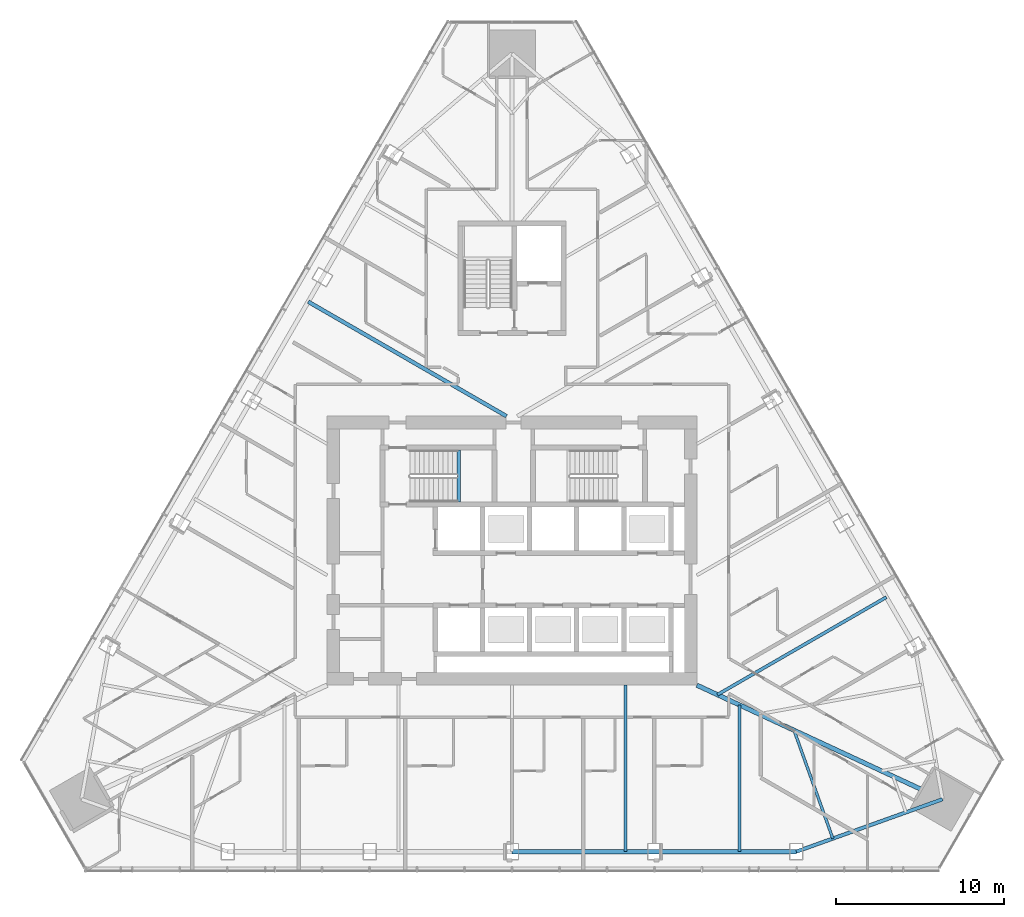
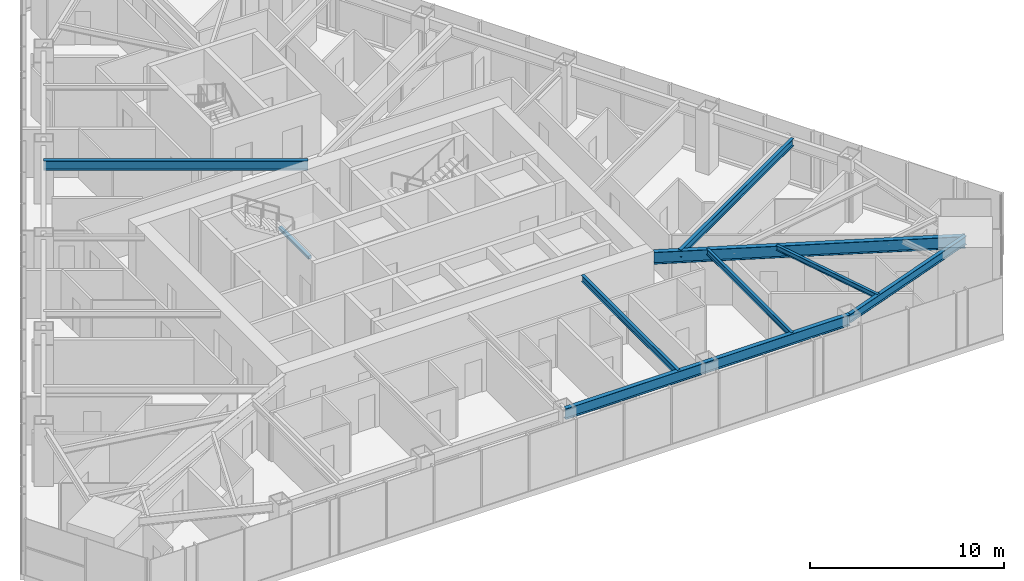
# One storey, part 6 of 20: 9 beams.
"""IFC4 building model written with IfcOpenShell, lengths in metres."""

from ifc_helpers import new_model, si_unit, direction, frame, origin, origin_2d, place, context, subcontext, project, spatial, rectangle, i_section, extrude, material, material_profile, profile_set, type_object, element, save


model = new_model("IFC4")

# Units and contexts
model_context = context("Model", 3, precision=1e-05, world=origin(), true_north=direction((0.0, 1.0)))
body_context = subcontext(model_context, "Body", "Model", "MODEL_VIEW")
ifc_project = project(units=[si_unit("LENGTHUNIT", "METRE"), si_unit("AREAUNIT", "SQUARE_METRE"), si_unit("VOLUMEUNIT", "CUBIC_METRE"), si_unit("PLANEANGLEUNIT", "RADIAN"), si_unit("MASSUNIT", "GRAM", prefix="KILO")], contexts=[model_context])

# Site, building, storey
site_placement = place(None, origin())
site = spatial("IfcSite", under=ifc_project, at=site_placement, CompositionType="ELEMENT")
building_placement = place(site_placement, origin())
building = spatial("IfcBuilding", under=site, at=building_placement, Name="Firuza Gate Tower and Library", CompositionType="ELEMENT")
storey_placement = place(building_placement, frame((0.0, 0.0, 214.300048828125)))
storey = spatial("IfcBuildingStorey", under=building, at=storey_placement, Name="L50", CompositionType="ELEMENT", Elevation=214.300048828125)

# Beams
ifc_material_1 = material(Name="Concrete C35/45", Category="concrete")
ifc_material_profile_1 = material_profile(ifc_material_1, rectangle(XDim=0.199951171875, YDim=0.199951171875, at=origin_2d()))
ifc_profile_set_1 = profile_set([ifc_material_profile_1], Name="Concrete C35/45")
beam_type_1 = type_object("IfcBeamType", Name="Stair landing bearer 200x200", PredefinedType="BEAM", material=ifc_profile_set_1)
beam_1_placement = place(storey_placement, frame((71.840087890625, 77.89990234375, 1.64990234375), z_axis=(0.0, 1.0, 0.0), x_axis=(-1.0, 0.0, 0.0)))
element("IfcBeam", 1, at=beam_1_placement, inside=storey, type_object=beam_type_1, Name="Landing bearer L50 stair 1", PredefinedType="BEAM", context=body_context, shape_type="SweptSolid", body=[
    extrude(rectangle(XDim=0.199951171875, YDim=0.199951171875, at=origin_2d()), origin(), (0.0, 0.0, 1.0), 3.080078125),
])
ifc_material_2 = material(Name="Steel S355", Category="steel")
ifc_material_profile_2 = material_profile(ifc_material_2, i_section(OverallWidth=0.1650390625, OverallDepth=0.31005859375, WebThickness=0.005859375, FlangeThickness=0.009765625, at=origin_2d()))
ifc_profile_set_2 = profile_set([ifc_material_profile_2], Name="Steel S355")
beam_type_2 = type_object("IfcBeamType", Name="W310x39 Floor beam", PredefinedType="JOIST", material=ifc_profile_set_2)
beam_2_placement = place(storey_placement, frame((94.08544921875, 57.876953125, 3.544921875), z_axis=(-0.337452942664, 0.941342398645, 0.0), x_axis=(-0.941342398645, -0.337452942664, 0.0)))
element("IfcBeam", 2, at=beam_2_placement, inside=storey, type_object=beam_type_2, Name="Floor beam L50 s30", PredefinedType="JOIST", context=body_context, shape_type="SweptSolid", body=[
    extrude(i_section(OverallWidth=0.1650390625, OverallDepth=0.31005859375, WebThickness=0.005859375, FlangeThickness=0.009765625, at=origin_2d()), origin(), (0.0, 0.0, 1.0), 6.84130859375),
])
ifc_material_3 = material(Name="Steel S355", Category="steel")
ifc_material_profile_3 = material_profile(ifc_material_3, i_section(OverallWidth=0.1708984375, OverallDepth=0.35498046875, WebThickness=0.007080078125, FlangeThickness=0.01171875, at=origin_2d()))
ifc_profile_set_3 = profile_set([ifc_material_profile_3], Name="Steel S355")
beam_type_3 = type_object("IfcBeamType", Name="W360x51 Floor beam", PredefinedType="JOIST", material=ifc_profile_set_3)
beam_3_placement = place(storey_placement, frame((88.529052734375, 57.097412109375, 3.5224609375), z_axis=(0.0, 1.0, 0.0), x_axis=(-1.0, 0.0, 0.0)))
element("IfcBeam", 3, at=beam_3_placement, inside=storey, type_object=beam_type_3, Name="Floor beam L50 s24", PredefinedType="JOIST", context=body_context, shape_type="SweptSolid", body=[
    extrude(i_section(OverallWidth=0.1708984375, OverallDepth=0.35498046875, WebThickness=0.007080078125, FlangeThickness=0.01171875, at=origin_2d()), origin(), (0.0, 0.0, 1.0), 8.72802734375),
])
ifc_material_4 = material(Name="Steel S355", Category="steel")
ifc_material_profile_4 = material_profile(ifc_material_4, i_section(OverallWidth=0.177978515625, OverallDepth=0.406982421875, WebThickness=0.0078125, FlangeThickness=0.0126953125, at=origin_2d()))
ifc_profile_set_4 = profile_set([ifc_material_profile_4], Name="Steel S355")
beam_type_4 = type_object("IfcBeamType", Name="W410x60 Floor beam", PredefinedType="JOIST", material=ifc_profile_set_4)
beam_4_placement = place(storey_placement, frame((81.7646484375, 57.097412109375, 3.496337890625), z_axis=(0.0, 1.0, 0.0), x_axis=(-1.0, 0.0, 0.0)))
element("IfcBeam", 4, at=beam_4_placement, inside=storey, type_object=beam_type_4, Name="Floor beam L50 s23", PredefinedType="JOIST", context=body_context, shape_type="SweptSolid", body=[
    extrude(i_section(OverallWidth=0.177978515625, OverallDepth=0.406982421875, WebThickness=0.0078125, FlangeThickness=0.0126953125, at=origin_2d()), origin(), (0.0, 0.0, 1.0), 9.902587890625),
])
ifc_material_5 = material(Name="Steel S355", Category="steel")
ifc_material_profile_5 = material_profile(ifc_material_5, i_section(OverallWidth=0.18994140625, OverallDepth=0.45703125, WebThickness=0.009033203125, FlangeThickness=0.014404296875, at=origin_2d()))
ifc_profile_set_5 = profile_set([ifc_material_profile_5], Name="Steel S355")
beam_type_5 = type_object("IfcBeamType", Name="W460x74 Floor beam", PredefinedType="JOIST", material=ifc_profile_set_5)
beam_5_placement = place(storey_placement, frame((97.2685546875, 72.23486328125, 3.471435546875), z_axis=(-0.866021598738, -0.500006590476, 0.0), x_axis=(0.500006590476, -0.866021598738, 0.0)))
element("IfcBeam", 5, at=beam_5_placement, inside=storey, type_object=beam_type_5, Name="Floor beam L50 s50", PredefinedType="JOIST", context=body_context, shape_type="SweptSolid", body=[
    extrude(i_section(OverallWidth=0.18994140625, OverallDepth=0.45703125, WebThickness=0.009033203125, FlangeThickness=0.014404296875, at=origin_2d()), origin(), (0.0, 0.0, 1.0), 11.602783203125),
])
ifc_material_6 = material(Name="Steel S355", Category="steel")
ifc_material_profile_6 = material_profile(ifc_material_6, i_section(OverallWidth=0.212890625, OverallDepth=0.5390625, WebThickness=0.01171875, FlangeThickness=0.018798828125, at=origin_2d()))
ifc_profile_set_6 = profile_set([ifc_material_profile_6], Name="Steel S355")
beam_type_6 = type_object("IfcBeamType", Name="W530x109 Edge beam", PredefinedType="SPANDREL", material=ifc_profile_set_6)
beam_6_placement = place(storey_placement, frame((91.911376953125, 57.097412109375, 3.430419921875), z_axis=(0.941340671255, 0.337457761269, 0.0), x_axis=(-0.337457761269, 0.941340671255, 0.0)))
element("IfcBeam", 6, at=beam_6_placement, inside=storey, type_object=beam_type_6, Name="Edge beam L50 e30", PredefinedType="SPANDREL", context=body_context, shape_type="SweptSolid", body=[
    extrude(i_section(OverallWidth=0.212890625, OverallDepth=0.5390625, WebThickness=0.01171875, FlangeThickness=0.018798828125, at=origin_2d()), origin(), (0.0, 0.0, 1.0), 9.23876953125),
])
ifc_material_7 = material(Name="Steel S355", Category="steel")
ifc_material_profile_7 = material_profile(ifc_material_7, i_section(OverallWidth=0.22802734375, OverallDepth=0.60302734375, WebThickness=0.010498046875, FlangeThickness=0.014892578125, at=origin_2d()))
ifc_profile_set_7 = profile_set([ifc_material_profile_7], Name="Steel S355")
beam_type_7 = type_object("IfcBeamType", Name="W610x101 Floor beam", PredefinedType="JOIST", material=ifc_profile_set_7)
beam_7_placement = place(storey_placement, frame((62.878173828125, 89.8095703125, 3.3984375), z_axis=(0.866023785365, -0.500002803175, 0.0), x_axis=(0.500002803175, 0.866023785365, 0.0)))
element("IfcBeam", 7, at=beam_7_placement, inside=storey, type_object=beam_type_7, Name="Floor beam L50 s81", PredefinedType="JOIST", context=body_context, shape_type="SweptSolid", body=[
    extrude(i_section(OverallWidth=0.22802734375, OverallDepth=0.60302734375, WebThickness=0.010498046875, FlangeThickness=0.014892578125, at=origin_2d()), origin(), (0.0, 0.0, 1.0), 13.619140625),
])
ifc_material_8 = material(Name="Steel S355", Category="steel")
ifc_material_profile_8 = material_profile(ifc_material_8, i_section(OverallWidth=0.2529296875, OverallDepth=0.677978515625, WebThickness=0.01171875, FlangeThickness=0.016357421875, at=origin_2d()))
ifc_profile_set_8 = profile_set([ifc_material_profile_8], Name="Steel S355")
beam_type_8 = type_object("IfcBeamType", Name="W690x125 Edge beam", PredefinedType="SPANDREL", material=ifc_profile_set_8)
beam_8_placement = place(storey_placement, frame((75.0, 57.097412109375, 3.36083984375), z_axis=(1.0, 0.0, 0.0), x_axis=(0.0, 1.0, 0.0)))
element("IfcBeam", 8, at=beam_8_placement, inside=storey, type_object=beam_type_8, Name="Edge beam L50 e22", PredefinedType="SPANDREL", context=body_context, shape_type="SweptSolid", body=[
    extrude(i_section(OverallWidth=0.2529296875, OverallDepth=0.677978515625, WebThickness=0.01171875, FlangeThickness=0.016357421875, at=origin_2d()), origin(), (0.0, 0.0, 1.0), 16.911376953125),
])
ifc_material_9 = material(Name="Steel S355", Category="steel")
ifc_material_profile_9 = material_profile(ifc_material_9, i_section(OverallWidth=0.264892578125, OverallDepth=0.7529296875, WebThickness=0.01318359375, FlangeThickness=0.01708984375, at=origin_2d()))
ifc_profile_set_9 = profile_set([ifc_material_profile_9], Name="Steel S355")
beam_type_9 = type_object("IfcBeamType", Name="W760x147 Girder", PredefinedType="BEAM", material=ifc_profile_set_9)
beam_9_placement = place(storey_placement, frame((100.608154296875, 60.215087890625, 3.323486328125), z_axis=(-0.90694837612, 0.421241786927, 0.0), x_axis=(-0.421241786927, -0.90694837612, 0.0)))
element("IfcBeam", 9, at=beam_9_placement, inside=storey, type_object=beam_type_9, Name="Girder L50 gSE", PredefinedType="BEAM", context=body_context, shape_type="SweptSolid", body=[
    extrude(i_section(OverallWidth=0.264892578125, OverallDepth=0.7529296875, WebThickness=0.01318359375, FlangeThickness=0.01708984375, at=origin_2d()), origin(), (0.0, 0.0, 1.0), 16.10693359375),
])

save(model, "model.ifc")
